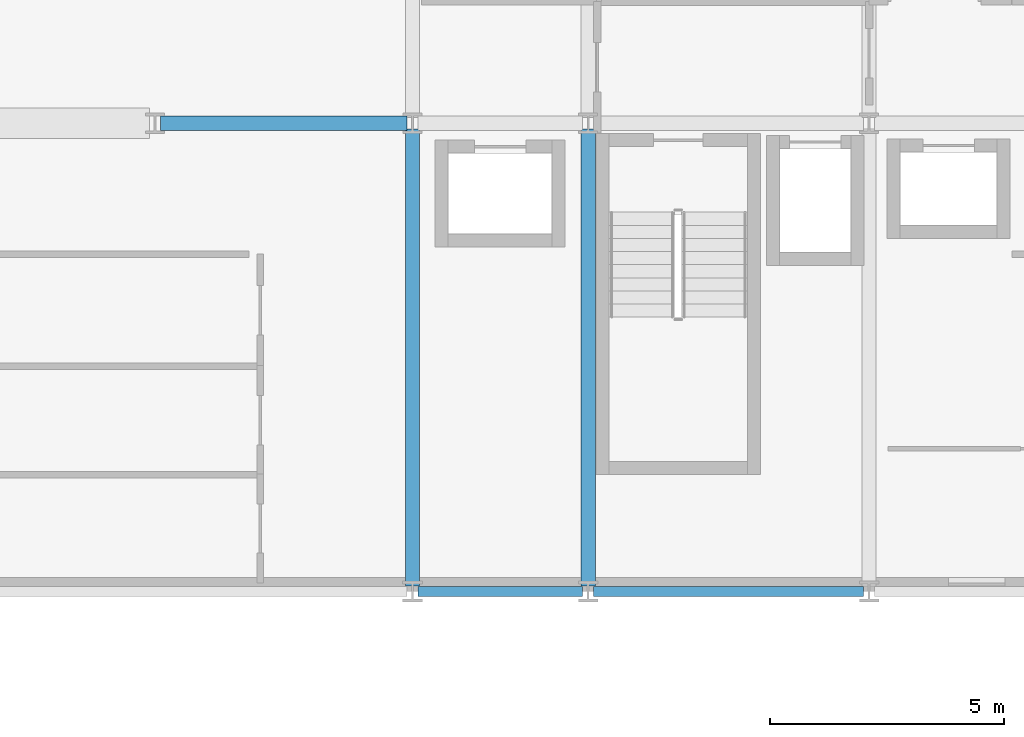
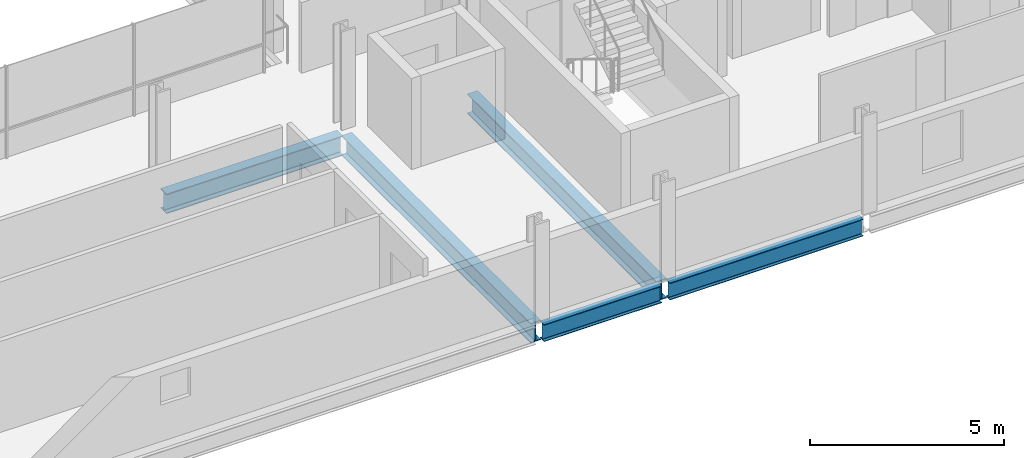
# One storey, part 12 of 41: 5 beams.
"""IFC4 building model written with IfcOpenShell, lengths in metres."""

from ifc_helpers import new_model, si_unit, direction, frame, origin, origin_2d, place, context, subcontext, project, spatial, i_section, extrude, material, material_profile, profile_set, type_object, element, save


model = new_model("IFC4")

# Units and contexts
model_context = context("Model", 3, precision=1e-05, world=origin(), true_north=direction((0.0, 1.0)))
body_context = subcontext(model_context, "Body", "Model", "MODEL_VIEW")
ifc_project = project(units=[si_unit("LENGTHUNIT", "METRE"), si_unit("AREAUNIT", "SQUARE_METRE"), si_unit("VOLUMEUNIT", "CUBIC_METRE"), si_unit("PLANEANGLEUNIT", "RADIAN"), si_unit("MASSUNIT", "GRAM", prefix="KILO")], contexts=[model_context])

# Site, building, storey
site_placement = place(None, origin())
site = spatial("IfcSite", under=ifc_project, at=site_placement, CompositionType="ELEMENT")
building_placement = place(site_placement, origin())
building = spatial("IfcBuilding", under=site, at=building_placement, Name="Brevholm Reach", CompositionType="ELEMENT")
storey_placement = place(building_placement, frame((0.0, 0.0, 86.89990234375)))
storey = spatial("IfcBuildingStorey", under=building, at=storey_placement, Name="L25", CompositionType="ELEMENT", Elevation=86.89990234375)

# Beams
ifc_material_1 = material(Name="Structural Steel S355J2", Category="steel")
ifc_material_profile_1 = material_profile(ifc_material_1, i_section(OverallWidth=0.210693359375, OverallDepth=0.53955078125, WebThickness=0.01171875, FlangeThickness=0.018798828125, FilletRadius=0.0126953125, at=origin_2d()), Name="UKB 533x210x109")
ifc_profile_set_1 = profile_set([ifc_material_profile_1], Name="Structural Steel S355J2")
beam_type_1 = type_object("IfcBeamType", Name="BM-SP539", PredefinedType="SPANDREL", material=ifc_profile_set_1)
beam_1_placement = place(storey_placement, frame((38.3701171875, 0.0, -0.499755859375), z_axis=(1.0, 0.0, 0.0), x_axis=(0.0, 1.0, 0.0)))
element("IfcBeam", 1, at=beam_1_placement, inside=storey, type_object=beam_type_1, Name="L25 SP-01B Framing Beam", PredefinedType="SPANDREL", context=body_context, shape_type="SweptSolid", body=[
    extrude(i_section(OverallWidth=0.210693359375, OverallDepth=0.53955078125, WebThickness=0.01171875, FlangeThickness=0.018798828125, FilletRadius=0.0126953125, at=origin_2d()), origin(), (0.0, 0.0, 1.0), 3.509765625),
])
beam_2_placement = place(storey_placement, frame((42.1201171875, 0.0, -0.499755859375), z_axis=(1.0, 0.0, 0.0), x_axis=(0.0, 1.0, 0.0)))
element("IfcBeam", 2, at=beam_2_placement, inside=storey, type_object=beam_type_1, Name="L25 SP-01B Framing Beam", PredefinedType="SPANDREL", context=body_context, shape_type="SweptSolid", body=[
    extrude(i_section(OverallWidth=0.210693359375, OverallDepth=0.53955078125, WebThickness=0.01171875, FlangeThickness=0.018798828125, FilletRadius=0.0126953125, at=origin_2d()), origin(), (0.0, 0.0, 1.0), 5.759765625),
])
ifc_material_2 = material(Name="Structural Steel S355J2", Category="steel")
ifc_material_profile_2 = material_profile(ifc_material_2, i_section(OverallWidth=0.30712890625, OverallDepth=0.6201171875, WebThickness=0.01416015625, FlangeThickness=0.023681640625, FilletRadius=0.0166015625, at=origin_2d()), Name="UKB 610x305x179")
ifc_profile_set_2 = profile_set([ifc_material_profile_2], Name="Structural Steel S355J2")
beam_type_2 = type_object("IfcBeamType", Name="BM-UKB610H", PredefinedType="USERDEFINED", material=ifc_profile_set_2)
beam_3_placement = place(storey_placement, frame((32.8701171875, 10.0, -0.5400390625), z_axis=(1.0, 0.0, 0.0), x_axis=(0.0, 1.0, 0.0)))
element("IfcBeam", 3, at=beam_3_placement, inside=storey, type_object=beam_type_2, Name="L25 G-06 Framing Beam", ObjectType="GIRDER", PredefinedType="USERDEFINED", context=body_context, shape_type="SweptSolid", body=[
    extrude(i_section(OverallWidth=0.30712890625, OverallDepth=0.6201171875, WebThickness=0.01416015625, FlangeThickness=0.023681640625, FilletRadius=0.0166015625, at=origin_2d()), origin(), (0.0, 0.0, 1.0), 5.259765625),
])
for number, where, z_axis, x_axis, name in (
    (4, (38.25, 0.1201171875, -0.5400390625), (0.0, 1.0, 0.0), (-1.0, 0.0, 0.0), "L25 G-06 Framing Beam"),
    (5, (42.0, 0.1201171875, -0.5400390625), (0.0, 1.0, 0.0), (-1.0, 0.0, 0.0), "L25 G-06 Framing Beam"),
):
    element("IfcBeam", number, at=place(storey_placement, frame(where, z_axis=z_axis, x_axis=x_axis)), inside=storey, type_object=beam_type_2, Name=name, ObjectType="GIRDER", PredefinedType="USERDEFINED", context=body_context, shape_type="SweptSolid", body=[
        extrude(i_section(OverallWidth=0.30712890625, OverallDepth=0.6201171875, WebThickness=0.01416015625, FlangeThickness=0.023681640625, FilletRadius=0.0166015625, at=origin_2d()), origin(), (0.0, 0.0, 1.0), 9.759765625),
    ])

save(model, "model.ifc")
